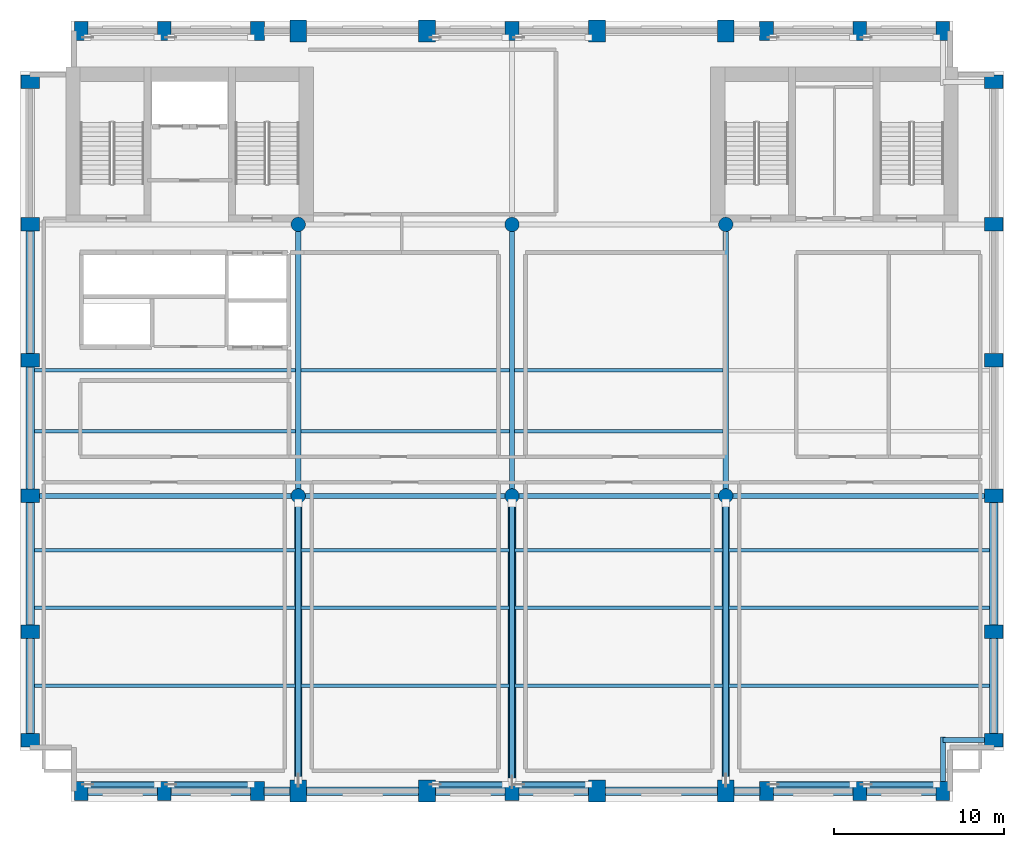
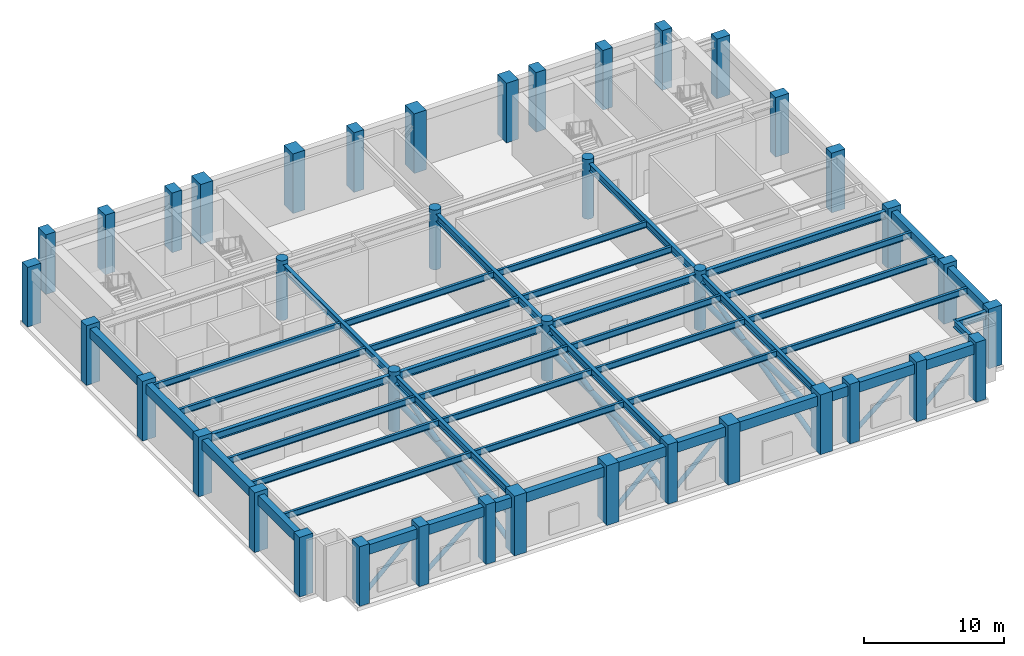
# One storey, part 1 of 11: 46 beams, 40 columns, 12 members.
"""IFC4 building model written with IfcOpenShell, lengths in metres."""

from ifc_helpers import new_model, si_unit, direction, frame, origin, origin_2d, place, context, subcontext, project, spatial, rectangle, circle, hollow_circle, i_section, extrude, material, material_profile, profile_set, type_object, element, save


model = new_model("IFC4")

# Units and contexts
model_context = context("Model", 3, precision=1e-05, world=origin(), true_north=direction((0.0, 1.0)))
body_context = subcontext(model_context, "Body", "Model", "MODEL_VIEW")
ifc_project = project(units=[si_unit("LENGTHUNIT", "METRE"), si_unit("AREAUNIT", "SQUARE_METRE"), si_unit("VOLUMEUNIT", "CUBIC_METRE"), si_unit("PLANEANGLEUNIT", "RADIAN"), si_unit("MASSUNIT", "GRAM", prefix="KILO")], contexts=[model_context])

# Site, building, storey
site_placement = place(None, origin())
site = spatial("IfcSite", under=ifc_project, at=site_placement, CompositionType="ELEMENT")
building_placement = place(site_placement, origin())
building = spatial("IfcBuilding", under=site, at=building_placement, Name="Sulina Concourse Tower", CompositionType="ELEMENT")
storey_placement = place(building_placement, frame((0.0, 0.0, 160.60009765625)))
storey = spatial("IfcBuildingStorey", under=building, at=storey_placement, Name="L39", CompositionType="ELEMENT", Elevation=160.60009765625)

# Columns
ifc_material_1 = material(Name="Precast concrete C60/75", Category="concrete")
ifc_material_profile_1 = material_profile(ifc_material_1, rectangle(XDim=0.800048828125, YDim=1.10009765625, at=origin_2d()), Name="PC 800x1100")
ifc_profile_set_1 = profile_set([ifc_material_profile_1], Name="Precast concrete C60/75")
column_type_1 = type_object("IfcColumnType", Name="Precast Tube Pier Zone 3 800x1100", PredefinedType="COLUMN", material=ifc_profile_set_1)
for number, where, z_axis, x_axis, name in (
    (1, (3.60009765625, 0.60009765625, 0.0), (0.0, 0.0, 1.0), (1.0, 0.0, 0.0), "L39 structural column TP-S-36"),
    (2, (3.60009765625, 45.39990234375, 0.0), (0.0, 0.0, 1.0), (1.0, 0.0, 0.0), "L39 structural column TP-N-36"),
    (3, (8.5, 0.60009765625, 0.0), (0.0, 0.0, 1.0), (1.0, 0.0, 0.0), "L39 structural column TP-S-85"),
    (4, (8.5, 45.39990234375, 0.0), (0.0, 0.0, 1.0), (1.0, 0.0, 0.0), "L39 structural column TP-N-85"),
    (5, (14.0, 0.60009765625, 0.0), (0.0, 0.0, 1.0), (1.0, 0.0, 0.0), "L39 structural column TP-S-140"),
    (6, (14.0, 45.39990234375, 0.0), (0.0, 0.0, 1.0), (1.0, 0.0, 0.0), "L39 structural column TP-N-140"),
    (7, (29.0, 0.60009765625, 0.0), (0.0, 0.0, 1.0), (1.0, 0.0, 0.0), "L39 structural column TP-S-290"),
    (8, (29.0, 45.39990234375, 0.0), (0.0, 0.0, 1.0), (1.0, 0.0, 0.0), "L39 structural column TP-N-290"),
    (9, (44.0, 0.60009765625, 0.0), (0.0, 0.0, 1.0), (1.0, 0.0, 0.0), "L39 structural column TP-S-440"),
    (10, (44.0, 45.39990234375, 0.0), (0.0, 0.0, 1.0), (1.0, 0.0, 0.0), "L39 structural column TP-N-440"),
    (11, (49.5, 0.60009765625, 0.0), (0.0, 0.0, 1.0), (1.0, 0.0, 0.0), "L39 structural column TP-S-495"),
    (12, (49.5, 45.39990234375, 0.0), (0.0, 0.0, 1.0), (1.0, 0.0, 0.0), "L39 structural column TP-N-495"),
    (13, (54.39990234375, 0.60009765625, 0.0), (0.0, 0.0, 1.0), (1.0, 0.0, 0.0), "L39 structural column TP-S-544"),
    (14, (54.39990234375, 45.39990234375, 0.0), (0.0, 0.0, 1.0), (1.0, 0.0, 0.0), "L39 structural column TP-N-544"),
    (15, (0.60009765625, 3.60009765625, 0.0), (0.0, 0.0, 1.0), (0.0, 1.0, 0.0), "L39 structural column TP-W-36"),
    (16, (57.39990234375, 3.60009765625, 0.0), (0.0, 0.0, 1.0), (0.0, 1.0, 0.0), "L39 structural column TP-E-36"),
    (17, (0.60009765625, 10.0, 0.0), (0.0, 0.0, 1.0), (0.0, 1.0, 0.0), "L39 structural column TP-W-100"),
    (18, (57.39990234375, 10.0, 0.0), (0.0, 0.0, 1.0), (0.0, 1.0, 0.0), "L39 structural column TP-E-100"),
    (19, (0.60009765625, 18.0, 0.0), (0.0, 0.0, 1.0), (0.0, 1.0, 0.0), "L39 structural column TP-W-180"),
    (20, (57.39990234375, 18.0, 0.0), (0.0, 0.0, 1.0), (0.0, 1.0, 0.0), "L39 structural column TP-E-180"),
    (21, (0.60009765625, 26.0, 0.0), (0.0, 0.0, 1.0), (0.0, 1.0, 0.0), "L39 structural column TP-W-260"),
    (22, (57.39990234375, 26.0, 0.0), (0.0, 0.0, 1.0), (0.0, 1.0, 0.0), "L39 structural column TP-E-260"),
    (23, (0.60009765625, 34.0, 0.0), (0.0, 0.0, 1.0), (0.0, 1.0, 0.0), "L39 structural column TP-W-340"),
    (24, (57.39990234375, 34.0, 0.0), (0.0, 0.0, 1.0), (0.0, 1.0, 0.0), "L39 structural column TP-E-340"),
    (25, (0.60009765625, 42.39990234375, 0.0), (0.0, 0.0, 1.0), (0.0, 1.0, 0.0), "L39 structural column TP-W-424"),
    (26, (57.39990234375, 42.39990234375, 0.0), (0.0, 0.0, 1.0), (0.0, 1.0, 0.0), "L39 structural column TP-E-424"),
):
    element("IfcColumn", number, at=place(storey_placement, frame(where, z_axis=z_axis, x_axis=x_axis)), inside=storey, type_object=column_type_1, Name=name, PredefinedType="COLUMN", context=body_context, shape_type="SweptSolid", body=[
        extrude(rectangle(XDim=0.800048828125, YDim=1.10009765625, at=origin_2d()), origin(), (0.0, 0.0, 1.0), 5.199951171875),
    ])
ifc_material_2 = material(Name="Concrete C50/60", Category="concrete")
ifc_material_profile_2 = material_profile(ifc_material_2, circle(Radius=0.425048828125, at=origin_2d()), Name="RC D850")
ifc_profile_set_2 = profile_set([ifc_material_profile_2], Name="Concrete C50/60")
column_type_2 = type_object("IfcColumnType", Name="Upper Interior Circular Column D850", PredefinedType="COLUMN", material=ifc_profile_set_2)
for number, where, z_axis, x_axis, name in (
    (27, (16.39990234375, 18.0, 0.0), (0.0, 0.0, 1.0), (1.0, 0.0, 0.0), "L39 structural column IC-M-164"),
    (28, (16.39990234375, 34.0, 0.0), (0.0, 0.0, 1.0), (1.0, 0.0, 0.0), "L39 structural column IC-N-164"),
    (29, (29.0, 18.0, 0.0), (0.0, 0.0, 1.0), (1.0, 0.0, 0.0), "L39 structural column IC-M-290"),
    (30, (29.0, 34.0, 0.0), (0.0, 0.0, 1.0), (1.0, 0.0, 0.0), "L39 structural column IC-N-290"),
    (31, (41.60009765625, 18.0, 0.0), (0.0, 0.0, 1.0), (1.0, 0.0, 0.0), "L39 structural column IC-M-416"),
    (32, (41.60009765625, 34.0, 0.0), (0.0, 0.0, 1.0), (1.0, 0.0, 0.0), "L39 structural column IC-N-416"),
):
    element("IfcColumn", number, at=place(storey_placement, frame(where, z_axis=z_axis, x_axis=x_axis)), inside=storey, type_object=column_type_2, Name=name, PredefinedType="COLUMN", context=body_context, shape_type="SweptSolid", body=[
        extrude(circle(Radius=0.425048828125, at=origin_2d()), origin(), (0.0, 0.0, 1.0), 5.199951171875),
    ])
ifc_material_3 = material(Name="Concrete C60/75", Category="concrete")
ifc_material_profile_3 = material_profile(ifc_material_3, rectangle(XDim=1.0, YDim=1.300048828125, at=origin_2d()), Name="RC 1000x1300")
ifc_profile_set_3 = profile_set([ifc_material_profile_3], Name="Concrete C60/75")
column_type_3 = type_object("IfcColumnType", Name="Upper Portal Column 1000x1300", PredefinedType="COLUMN", material=ifc_profile_set_3)
for number, where, z_axis, x_axis, name in (
    (33, (16.39990234375, 0.60009765625, 0.0), (0.0, 0.0, 1.0), (1.0, 0.0, 0.0), "L39 structural column TP-S-164"),
    (34, (16.39990234375, 45.39990234375, 0.0), (0.0, 0.0, 1.0), (1.0, 0.0, 0.0), "L39 structural column TP-N-164"),
    (35, (24.0, 0.60009765625, 0.0), (0.0, 0.0, 1.0), (1.0, 0.0, 0.0), "L39 structural column TP-S-240"),
    (36, (24.0, 45.39990234375, 0.0), (0.0, 0.0, 1.0), (1.0, 0.0, 0.0), "L39 structural column TP-N-240"),
    (37, (34.0, 0.60009765625, 0.0), (0.0, 0.0, 1.0), (1.0, 0.0, 0.0), "L39 structural column TP-S-340"),
    (38, (34.0, 45.39990234375, 0.0), (0.0, 0.0, 1.0), (1.0, 0.0, 0.0), "L39 structural column TP-N-340"),
    (39, (41.60009765625, 0.60009765625, 0.0), (0.0, 0.0, 1.0), (1.0, 0.0, 0.0), "L39 structural column TP-S-416"),
    (40, (41.60009765625, 45.39990234375, 0.0), (0.0, 0.0, 1.0), (1.0, 0.0, 0.0), "L39 structural column TP-N-416"),
):
    element("IfcColumn", number, at=place(storey_placement, frame(where, z_axis=z_axis, x_axis=x_axis)), inside=storey, type_object=column_type_3, Name=name, PredefinedType="COLUMN", context=body_context, shape_type="SweptSolid", body=[
        extrude(rectangle(XDim=1.0, YDim=1.300048828125, at=origin_2d()), origin(), (0.0, 0.0, 1.0), 5.199951171875),
    ])

# Members
ifc_material_4 = material(Name="Steel S355", Category="steel")
ifc_material_profile_4 = material_profile(ifc_material_4, hollow_circle(Radius=0.177734375, WallThickness=0.01416015625, at=origin_2d()), Name="CHS 355.6x14.2")
ifc_profile_set_4 = profile_set([ifc_material_profile_4], Name="Steel S355")
member_type_1 = type_object("IfcMemberType", Name="Belt Truss Diagonal Brace CHS355.6x14.2", PredefinedType="BRACE", material=ifc_profile_set_4)
member_1_placement = place(storey_placement, frame((3.989990234375, 0.97998046875, 0.14990234375), z_axis=(0.728874196238, 0.0, 0.684647651029), x_axis=(0.0, 1.0, 0.0)))
element("IfcMember", 41, at=member_1_placement, inside=storey, type_object=member_type_1, Name="BLT-S1-L39", PredefinedType="BRACE", context=body_context, shape_type="SweptSolid", body=[
    extrude(hollow_circle(Radius=0.177734375, WallThickness=0.01416015625, at=origin_2d()), origin(), (0.0, 0.0, 1.0), 5.65283203125),
])
member_2_placement = place(storey_placement, frame((8.889892578125, 0.97998046875, 0.14990234375), z_axis=(0.773304658113, 0.0, 0.634034625034), x_axis=(0.0, 1.0, 0.0)))
element("IfcMember", 42, at=member_2_placement, inside=storey, type_object=member_type_1, Name="BLT-S2-L39", PredefinedType="BRACE", context=body_context, shape_type="SweptSolid", body=[
    extrude(hollow_circle(Radius=0.177734375, WallThickness=0.01416015625, at=origin_2d()), origin(), (0.0, 0.0, 1.0), 6.10400390625),
])
for number, where, z_axis, x_axis, name in (
    (43, (24.489990234375, 0.97998046875, 0.14990234375), (0.728874196238, 0.0, 0.684647651029), (0.0, 1.0, 0.0), "BLT-S3-L39"),
    (44, (29.389892578125, 0.97998046875, 0.14990234375), (0.728874196238, 0.0, 0.684647651029), (0.0, 1.0, 0.0), "BLT-S4-L39"),
):
    element("IfcMember", number, at=place(storey_placement, frame(where, z_axis=z_axis, x_axis=x_axis)), inside=storey, type_object=member_type_1, Name=name, PredefinedType="BRACE", context=body_context, shape_type="SweptSolid", body=[
        extrude(hollow_circle(Radius=0.177734375, WallThickness=0.01416015625, at=origin_2d()), origin(), (0.0, 0.0, 1.0), 5.65283203125),
    ])
member_3_placement = place(storey_placement, frame((44.389892578125, 0.97998046875, 0.14990234375), z_axis=(0.773304658113, 0.0, 0.634034625034), x_axis=(0.0, 1.0, 0.0)))
element("IfcMember", 45, at=member_3_placement, inside=storey, type_object=member_type_1, Name="BLT-S5-L39", PredefinedType="BRACE", context=body_context, shape_type="SweptSolid", body=[
    extrude(hollow_circle(Radius=0.177734375, WallThickness=0.01416015625, at=origin_2d()), origin(), (0.0, 0.0, 1.0), 6.10400390625),
])
member_4_placement = place(storey_placement, frame((49.889892578125, 0.97998046875, 0.14990234375), z_axis=(0.728874196238, 0.0, 0.684647651029), x_axis=(0.0, 1.0, 0.0)))
element("IfcMember", 46, at=member_4_placement, inside=storey, type_object=member_type_1, Name="BLT-S6-L39", PredefinedType="BRACE", context=body_context, shape_type="SweptSolid", body=[
    extrude(hollow_circle(Radius=0.177734375, WallThickness=0.01416015625, at=origin_2d()), origin(), (0.0, 0.0, 1.0), 5.65283203125),
])

# Beams
ifc_material_5 = material(Name="Steel S355", Category="steel")
ifc_material_profile_5 = material_profile(ifc_material_5, i_section(OverallWidth=0.2099609375, OverallDepth=0.550048828125, WebThickness=0.010986328125, FlangeThickness=0.01708984375, at=origin_2d()), Name="IPE 550")
ifc_profile_set_5 = profile_set([ifc_material_profile_5], Name="Steel S355")
beam_type_1 = type_object("IfcBeamType", Name="Composite Floor Joist IPE550", PredefinedType="JOIST", material=ifc_profile_set_5)
beam_1_placement = place(storey_placement, frame((0.85009765625, 6.800048828125, 4.5849609375), z_axis=(1.0, 0.0, 0.0), x_axis=(0.0, 1.0, 0.0)))
element("IfcBeam", 47, at=beam_1_placement, inside=storey, type_object=beam_type_1, Name="FJ-J06-1-L39", PredefinedType="JOIST", context=body_context, shape_type="SweptSolid", body=[
    extrude(i_section(OverallWidth=0.2099609375, OverallDepth=0.550048828125, WebThickness=0.010986328125, FlangeThickness=0.01708984375, at=origin_2d()), origin(), (0.0, 0.0, 1.0), 15.39990234375),
])
for number, where, z_axis, x_axis, name in (
    (48, (16.550048828125, 6.800048828125, 4.5849609375), (1.0, 0.0, 0.0), (0.0, 1.0, 0.0), "FJ-J06-2-L39"),
    (49, (29.14990234375, 6.800048828125, 4.5849609375), (1.0, 0.0, 0.0), (0.0, 1.0, 0.0), "FJ-J06-3-L39"),
):
    element("IfcBeam", number, at=place(storey_placement, frame(where, z_axis=z_axis, x_axis=x_axis)), inside=storey, type_object=beam_type_1, Name=name, PredefinedType="JOIST", context=body_context, shape_type="SweptSolid", body=[
        extrude(i_section(OverallWidth=0.2099609375, OverallDepth=0.550048828125, WebThickness=0.010986328125, FlangeThickness=0.01708984375, at=origin_2d()), origin(), (0.0, 0.0, 1.0), 12.300048828125),
    ])
for number, where, z_axis, x_axis, name in (
    (50, (41.75, 6.800048828125, 4.5849609375), (1.0, 0.0, 0.0), (0.0, 1.0, 0.0), "FJ-J06-4-L39"),
    (51, (0.85009765625, 11.39990234375, 4.5849609375), (1.0, 0.0, 0.0), (0.0, 1.0, 0.0), "FJ-J11-1-L39"),
):
    element("IfcBeam", number, at=place(storey_placement, frame(where, z_axis=z_axis, x_axis=x_axis)), inside=storey, type_object=beam_type_1, Name=name, PredefinedType="JOIST", context=body_context, shape_type="SweptSolid", body=[
        extrude(i_section(OverallWidth=0.2099609375, OverallDepth=0.550048828125, WebThickness=0.010986328125, FlangeThickness=0.01708984375, at=origin_2d()), origin(), (0.0, 0.0, 1.0), 15.39990234375),
    ])
for number, where, z_axis, x_axis, name in (
    (52, (16.550048828125, 11.39990234375, 4.5849609375), (1.0, 0.0, 0.0), (0.0, 1.0, 0.0), "FJ-J11-2-L39"),
    (53, (29.14990234375, 11.39990234375, 4.5849609375), (1.0, 0.0, 0.0), (0.0, 1.0, 0.0), "FJ-J11-3-L39"),
):
    element("IfcBeam", number, at=place(storey_placement, frame(where, z_axis=z_axis, x_axis=x_axis)), inside=storey, type_object=beam_type_1, Name=name, PredefinedType="JOIST", context=body_context, shape_type="SweptSolid", body=[
        extrude(i_section(OverallWidth=0.2099609375, OverallDepth=0.550048828125, WebThickness=0.010986328125, FlangeThickness=0.01708984375, at=origin_2d()), origin(), (0.0, 0.0, 1.0), 12.300048828125),
    ])
for number, where, z_axis, x_axis, name in (
    (54, (41.75, 11.39990234375, 4.5849609375), (1.0, 0.0, 0.0), (0.0, 1.0, 0.0), "FJ-J11-4-L39"),
    (55, (0.85009765625, 14.800048828125, 4.5849609375), (1.0, 0.0, 0.0), (0.0, 1.0, 0.0), "FJ-J15-1-L39"),
):
    element("IfcBeam", number, at=place(storey_placement, frame(where, z_axis=z_axis, x_axis=x_axis)), inside=storey, type_object=beam_type_1, Name=name, PredefinedType="JOIST", context=body_context, shape_type="SweptSolid", body=[
        extrude(i_section(OverallWidth=0.2099609375, OverallDepth=0.550048828125, WebThickness=0.010986328125, FlangeThickness=0.01708984375, at=origin_2d()), origin(), (0.0, 0.0, 1.0), 15.39990234375),
    ])
for number, where, z_axis, x_axis, name in (
    (56, (16.550048828125, 14.800048828125, 4.5849609375), (1.0, 0.0, 0.0), (0.0, 1.0, 0.0), "FJ-J15-2-L39"),
    (57, (29.14990234375, 14.800048828125, 4.5849609375), (1.0, 0.0, 0.0), (0.0, 1.0, 0.0), "FJ-J15-3-L39"),
):
    element("IfcBeam", number, at=place(storey_placement, frame(where, z_axis=z_axis, x_axis=x_axis)), inside=storey, type_object=beam_type_1, Name=name, PredefinedType="JOIST", context=body_context, shape_type="SweptSolid", body=[
        extrude(i_section(OverallWidth=0.2099609375, OverallDepth=0.550048828125, WebThickness=0.010986328125, FlangeThickness=0.01708984375, at=origin_2d()), origin(), (0.0, 0.0, 1.0), 12.300048828125),
    ])
for number, where, z_axis, x_axis, name in (
    (58, (41.75, 14.800048828125, 4.5849609375), (1.0, 0.0, 0.0), (0.0, 1.0, 0.0), "FJ-J15-4-L39"),
    (59, (0.85009765625, 21.800048828125, 4.5849609375), (1.0, 0.0, 0.0), (0.0, 1.0, 0.0), "FJ-J22-1-L39"),
):
    element("IfcBeam", number, at=place(storey_placement, frame(where, z_axis=z_axis, x_axis=x_axis)), inside=storey, type_object=beam_type_1, Name=name, PredefinedType="JOIST", context=body_context, shape_type="SweptSolid", body=[
        extrude(i_section(OverallWidth=0.2099609375, OverallDepth=0.550048828125, WebThickness=0.010986328125, FlangeThickness=0.01708984375, at=origin_2d()), origin(), (0.0, 0.0, 1.0), 15.39990234375),
    ])
for number, where, z_axis, x_axis, name in (
    (60, (16.550048828125, 21.800048828125, 4.5849609375), (1.0, 0.0, 0.0), (0.0, 1.0, 0.0), "FJ-J22-2-L39"),
    (61, (29.14990234375, 21.800048828125, 4.5849609375), (1.0, 0.0, 0.0), (0.0, 1.0, 0.0), "FJ-J22-3-L39"),
):
    element("IfcBeam", number, at=place(storey_placement, frame(where, z_axis=z_axis, x_axis=x_axis)), inside=storey, type_object=beam_type_1, Name=name, PredefinedType="JOIST", context=body_context, shape_type="SweptSolid", body=[
        extrude(i_section(OverallWidth=0.2099609375, OverallDepth=0.550048828125, WebThickness=0.010986328125, FlangeThickness=0.01708984375, at=origin_2d()), origin(), (0.0, 0.0, 1.0), 12.300048828125),
    ])
beam_2_placement = place(storey_placement, frame((0.85009765625, 25.39990234375, 4.5849609375), z_axis=(1.0, 0.0, 0.0), x_axis=(0.0, 1.0, 0.0)))
element("IfcBeam", 62, at=beam_2_placement, inside=storey, type_object=beam_type_1, Name="FJ-J25-1-L39", PredefinedType="JOIST", context=body_context, shape_type="SweptSolid", body=[
    extrude(i_section(OverallWidth=0.2099609375, OverallDepth=0.550048828125, WebThickness=0.010986328125, FlangeThickness=0.01708984375, at=origin_2d()), origin(), (0.0, 0.0, 1.0), 15.39990234375),
])
for number, where, z_axis, x_axis, name in (
    (63, (16.550048828125, 25.39990234375, 4.5849609375), (1.0, 0.0, 0.0), (0.0, 1.0, 0.0), "FJ-J25-2-L39"),
    (64, (29.14990234375, 25.39990234375, 4.5849609375), (1.0, 0.0, 0.0), (0.0, 1.0, 0.0), "FJ-J25-3-L39"),
):
    element("IfcBeam", number, at=place(storey_placement, frame(where, z_axis=z_axis, x_axis=x_axis)), inside=storey, type_object=beam_type_1, Name=name, PredefinedType="JOIST", context=body_context, shape_type="SweptSolid", body=[
        extrude(i_section(OverallWidth=0.2099609375, OverallDepth=0.550048828125, WebThickness=0.010986328125, FlangeThickness=0.01708984375, at=origin_2d()), origin(), (0.0, 0.0, 1.0), 12.300048828125),
    ])
ifc_material_6 = material(Name="Steel S355", Category="steel")
ifc_material_profile_6 = material_profile(ifc_material_6, i_section(OverallWidth=0.300048828125, OverallDepth=0.64990234375, WebThickness=0.01611328125, FlangeThickness=0.031005859375, at=origin_2d()), Name="HE 650 B")
ifc_profile_set_6 = profile_set([ifc_material_profile_6], Name="Steel S355")
beam_type_2 = type_object("IfcBeamType", Name="Floor Primary Girder Zone 2 HE650B", PredefinedType="BEAM", material=ifc_profile_set_6)
beam_3_placement = place(storey_placement, frame((54.39990234375, 3.60009765625, 4.534912109375), z_axis=(1.0, 0.0, 0.0), x_axis=(0.0, 1.0, 0.0)))
element("IfcBeam", 65, at=beam_3_placement, inside=storey, type_object=beam_type_2, Name="TIE-SE-L39", PredefinedType="BEAM", context=body_context, shape_type="SweptSolid", body=[
    extrude(i_section(OverallWidth=0.300048828125, OverallDepth=0.64990234375, WebThickness=0.01611328125, FlangeThickness=0.031005859375, at=origin_2d()), origin(), (0.0, 0.0, 1.0), 2.6201171875),
])
beam_4_placement = place(storey_placement, frame((54.39990234375, 0.97998046875, 4.534912109375), z_axis=(0.0, 1.0, 0.0), x_axis=(-1.0, 0.0, 0.0)))
element("IfcBeam", 66, at=beam_4_placement, inside=storey, type_object=beam_type_2, Name="TIE-SES-L39", PredefinedType="BEAM", context=body_context, shape_type="SweptSolid", body=[
    extrude(i_section(OverallWidth=0.300048828125, OverallDepth=0.64990234375, WebThickness=0.01611328125, FlangeThickness=0.031005859375, at=origin_2d()), origin(), (0.0, 0.0, 1.0), 2.820068359375),
])
beam_5_placement = place(storey_placement, frame((0.97998046875, 18.0, 4.534912109375), z_axis=(1.0, 0.0, 0.0), x_axis=(0.0, 1.0, 0.0)))
element("IfcBeam", 67, at=beam_5_placement, inside=storey, type_object=beam_type_2, Name="FG-EW1-L39", PredefinedType="BEAM", context=body_context, shape_type="SweptSolid", body=[
    extrude(i_section(OverallWidth=0.300048828125, OverallDepth=0.64990234375, WebThickness=0.01611328125, FlangeThickness=0.031005859375, at=origin_2d()), origin(), (0.0, 0.0, 1.0), 15.01513671875),
])
for number, where, z_axis, x_axis, name in (
    (68, (16.804931640625, 18.0, 4.534912109375), (1.0, 0.0, 0.0), (0.0, 1.0, 0.0), "FG-EW2-L39"),
    (69, (29.405029296875, 18.0, 4.534912109375), (1.0, 0.0, 0.0), (0.0, 1.0, 0.0), "FG-EW3-L39"),
):
    element("IfcBeam", number, at=place(storey_placement, frame(where, z_axis=z_axis, x_axis=x_axis)), inside=storey, type_object=beam_type_2, Name=name, PredefinedType="BEAM", context=body_context, shape_type="SweptSolid", body=[
        extrude(i_section(OverallWidth=0.300048828125, OverallDepth=0.64990234375, WebThickness=0.01611328125, FlangeThickness=0.031005859375, at=origin_2d()), origin(), (0.0, 0.0, 1.0), 11.7900390625),
    ])
beam_6_placement = place(storey_placement, frame((42.0048828125, 18.0, 4.534912109375), z_axis=(1.0, 0.0, 0.0), x_axis=(0.0, 1.0, 0.0)))
element("IfcBeam", 70, at=beam_6_placement, inside=storey, type_object=beam_type_2, Name="FG-EW4-L39", PredefinedType="BEAM", context=body_context, shape_type="SweptSolid", body=[
    extrude(i_section(OverallWidth=0.300048828125, OverallDepth=0.64990234375, WebThickness=0.01611328125, FlangeThickness=0.031005859375, at=origin_2d()), origin(), (0.0, 0.0, 1.0), 15.01513671875),
])
beam_7_placement = place(storey_placement, frame((16.39990234375, 1.080078125, 4.534912109375), z_axis=(0.0, 1.0, 0.0), x_axis=(-1.0, 0.0, 0.0)))
element("IfcBeam", 71, at=beam_7_placement, inside=storey, type_object=beam_type_2, Name="FG-NSA-16-L39", PredefinedType="BEAM", context=body_context, shape_type="SweptSolid", body=[
    extrude(i_section(OverallWidth=0.300048828125, OverallDepth=0.64990234375, WebThickness=0.01611328125, FlangeThickness=0.031005859375, at=origin_2d()), origin(), (0.0, 0.0, 1.0), 16.514892578125),
])
beam_8_placement = place(storey_placement, frame((16.39990234375, 18.405029296875, 4.534912109375), z_axis=(0.0, 1.0, 0.0), x_axis=(-1.0, 0.0, 0.0)))
element("IfcBeam", 72, at=beam_8_placement, inside=storey, type_object=beam_type_2, Name="FG-NSB-16-L39", PredefinedType="BEAM", context=body_context, shape_type="SweptSolid", body=[
    extrude(i_section(OverallWidth=0.300048828125, OverallDepth=0.64990234375, WebThickness=0.01611328125, FlangeThickness=0.031005859375, at=origin_2d()), origin(), (0.0, 0.0, 1.0), 15.18994140625),
])
beam_9_placement = place(storey_placement, frame((29.0, 0.97998046875, 4.534912109375), z_axis=(0.0, 1.0, 0.0), x_axis=(-1.0, 0.0, 0.0)))
element("IfcBeam", 73, at=beam_9_placement, inside=storey, type_object=beam_type_2, Name="FG-NSA-29-L39", PredefinedType="BEAM", context=body_context, shape_type="SweptSolid", body=[
    extrude(i_section(OverallWidth=0.300048828125, OverallDepth=0.64990234375, WebThickness=0.01611328125, FlangeThickness=0.031005859375, at=origin_2d()), origin(), (0.0, 0.0, 1.0), 16.614990234375),
])
beam_10_placement = place(storey_placement, frame((29.0, 18.405029296875, 4.534912109375), z_axis=(0.0, 1.0, 0.0), x_axis=(-1.0, 0.0, 0.0)))
element("IfcBeam", 74, at=beam_10_placement, inside=storey, type_object=beam_type_2, Name="FG-NSB-29-L39", PredefinedType="BEAM", context=body_context, shape_type="SweptSolid", body=[
    extrude(i_section(OverallWidth=0.300048828125, OverallDepth=0.64990234375, WebThickness=0.01611328125, FlangeThickness=0.031005859375, at=origin_2d()), origin(), (0.0, 0.0, 1.0), 15.18994140625),
])
beam_11_placement = place(storey_placement, frame((41.60009765625, 1.080078125, 4.534912109375), z_axis=(0.0, 1.0, 0.0), x_axis=(-1.0, 0.0, 0.0)))
element("IfcBeam", 75, at=beam_11_placement, inside=storey, type_object=beam_type_2, Name="FG-NSA-41-L39", PredefinedType="BEAM", context=body_context, shape_type="SweptSolid", body=[
    extrude(i_section(OverallWidth=0.300048828125, OverallDepth=0.64990234375, WebThickness=0.01611328125, FlangeThickness=0.031005859375, at=origin_2d()), origin(), (0.0, 0.0, 1.0), 16.514892578125),
])
beam_12_placement = place(storey_placement, frame((41.60009765625, 18.405029296875, 4.534912109375), z_axis=(0.0, 1.0, 0.0), x_axis=(-1.0, 0.0, 0.0)))
element("IfcBeam", 76, at=beam_12_placement, inside=storey, type_object=beam_type_2, Name="FG-NSB-41-L39", PredefinedType="BEAM", context=body_context, shape_type="SweptSolid", body=[
    extrude(i_section(OverallWidth=0.300048828125, OverallDepth=0.64990234375, WebThickness=0.01611328125, FlangeThickness=0.031005859375, at=origin_2d()), origin(), (0.0, 0.0, 1.0), 15.18994140625),
])
ifc_material_7 = material(Name="Precast concrete C50/60", Category="concrete")
ifc_material_profile_7 = material_profile(ifc_material_7, rectangle(XDim=0.5, YDim=0.85009765625, at=origin_2d()), Name="RC 500x850")
ifc_profile_set_7 = profile_set([ifc_material_profile_7], Name="Precast concrete C50/60")
beam_type_3 = type_object("IfcBeamType", Name="Lower Precast Spandrel Edge Beam 500x850", PredefinedType="BEAM", material=ifc_profile_set_7)
beam_13_placement = place(storey_placement, frame((3.97998046875, 0.60009765625, 4.434814453125), z_axis=(1.0, 0.0, 0.0), x_axis=(0.0, 1.0, 0.0)))
element("IfcBeam", 77, at=beam_13_placement, inside=storey, type_object=beam_type_3, Name="SP-S1-L39", PredefinedType="BEAM", context=body_context, shape_type="SweptSolid", body=[
    extrude(rectangle(XDim=0.5, YDim=0.85009765625, at=origin_2d()), origin(), (0.0, 0.0, 1.0), 4.14013671875),
])
beam_14_placement = place(storey_placement, frame((8.8798828125, 0.60009765625, 4.434814453125), z_axis=(1.0, 0.0, 0.0), x_axis=(0.0, 1.0, 0.0)))
element("IfcBeam", 78, at=beam_14_placement, inside=storey, type_object=beam_type_3, Name="SP-S2-L39", PredefinedType="BEAM", context=body_context, shape_type="SweptSolid", body=[
    extrude(rectangle(XDim=0.5, YDim=0.85009765625, at=origin_2d()), origin(), (0.0, 0.0, 1.0), 4.740234375),
])
beam_15_placement = place(storey_placement, frame((14.3798828125, 0.60009765625, 4.434814453125), z_axis=(1.0, 0.0, 0.0), x_axis=(0.0, 1.0, 0.0)))
element("IfcBeam", 79, at=beam_15_placement, inside=storey, type_object=beam_type_3, Name="SP-S3-L39", PredefinedType="BEAM", context=body_context, shape_type="SweptSolid", body=[
    extrude(rectangle(XDim=0.5, YDim=0.85009765625, at=origin_2d()), origin(), (0.0, 0.0, 1.0), 1.5400390625),
])
beam_16_placement = place(storey_placement, frame((16.8798828125, 0.60009765625, 4.434814453125), z_axis=(1.0, 0.0, 0.0), x_axis=(0.0, 1.0, 0.0)))
element("IfcBeam", 80, at=beam_16_placement, inside=storey, type_object=beam_type_3, Name="SP-S4-L39", PredefinedType="BEAM", context=body_context, shape_type="SweptSolid", body=[
    extrude(rectangle(XDim=0.5, YDim=0.85009765625, at=origin_2d()), origin(), (0.0, 0.0, 1.0), 6.64013671875),
])
for number, where, z_axis, x_axis, name in (
    (81, (24.47998046875, 0.60009765625, 4.434814453125), (1.0, 0.0, 0.0), (0.0, 1.0, 0.0), "SP-S5-L39"),
    (82, (29.3798828125, 0.60009765625, 4.434814453125), (1.0, 0.0, 0.0), (0.0, 1.0, 0.0), "SP-S6-L39"),
):
    element("IfcBeam", number, at=place(storey_placement, frame(where, z_axis=z_axis, x_axis=x_axis)), inside=storey, type_object=beam_type_3, Name=name, PredefinedType="BEAM", context=body_context, shape_type="SweptSolid", body=[
        extrude(rectangle(XDim=0.5, YDim=0.85009765625, at=origin_2d()), origin(), (0.0, 0.0, 1.0), 4.14013671875),
    ])
beam_17_placement = place(storey_placement, frame((34.47998046875, 0.60009765625, 4.434814453125), z_axis=(1.0, 0.0, 0.0), x_axis=(0.0, 1.0, 0.0)))
element("IfcBeam", 83, at=beam_17_placement, inside=storey, type_object=beam_type_3, Name="SP-S7-L39", PredefinedType="BEAM", context=body_context, shape_type="SweptSolid", body=[
    extrude(rectangle(XDim=0.5, YDim=0.85009765625, at=origin_2d()), origin(), (0.0, 0.0, 1.0), 6.64013671875),
])
beam_18_placement = place(storey_placement, frame((42.080078125, 0.60009765625, 4.434814453125), z_axis=(1.0, 0.0, 0.0), x_axis=(0.0, 1.0, 0.0)))
element("IfcBeam", 84, at=beam_18_placement, inside=storey, type_object=beam_type_3, Name="SP-S8-L39", PredefinedType="BEAM", context=body_context, shape_type="SweptSolid", body=[
    extrude(rectangle(XDim=0.5, YDim=0.85009765625, at=origin_2d()), origin(), (0.0, 0.0, 1.0), 1.5400390625),
])
beam_19_placement = place(storey_placement, frame((44.3798828125, 0.60009765625, 4.434814453125), z_axis=(1.0, 0.0, 0.0), x_axis=(0.0, 1.0, 0.0)))
element("IfcBeam", 85, at=beam_19_placement, inside=storey, type_object=beam_type_3, Name="SP-S9-L39", PredefinedType="BEAM", context=body_context, shape_type="SweptSolid", body=[
    extrude(rectangle(XDim=0.5, YDim=0.85009765625, at=origin_2d()), origin(), (0.0, 0.0, 1.0), 4.740234375),
])
beam_20_placement = place(storey_placement, frame((49.8798828125, 0.60009765625, 4.434814453125), z_axis=(1.0, 0.0, 0.0), x_axis=(0.0, 1.0, 0.0)))
element("IfcBeam", 86, at=beam_20_placement, inside=storey, type_object=beam_type_3, Name="SP-S10-L39", PredefinedType="BEAM", context=body_context, shape_type="SweptSolid", body=[
    extrude(rectangle(XDim=0.5, YDim=0.85009765625, at=origin_2d()), origin(), (0.0, 0.0, 1.0), 4.14013671875),
])
beam_21_placement = place(storey_placement, frame((0.60009765625, 3.97998046875, 4.434814453125), z_axis=(0.0, 1.0, 0.0), x_axis=(-1.0, 0.0, 0.0)))
element("IfcBeam", 87, at=beam_21_placement, inside=storey, type_object=beam_type_3, Name="SP-W1-L39", PredefinedType="BEAM", context=body_context, shape_type="SweptSolid", body=[
    extrude(rectangle(XDim=0.5, YDim=0.85009765625, at=origin_2d()), origin(), (0.0, 0.0, 1.0), 5.64013671875),
])
for number, where, z_axis, x_axis, name in (
    (88, (0.60009765625, 10.3798828125, 4.434814453125), (0.0, 1.0, 0.0), (-1.0, 0.0, 0.0), "SP-W2-L39"),
    (89, (0.60009765625, 18.3798828125, 4.434814453125), (0.0, 1.0, 0.0), (-1.0, 0.0, 0.0), "SP-W3-L39"),
    (90, (0.60009765625, 26.3798828125, 4.434814453125), (0.0, 1.0, 0.0), (-1.0, 0.0, 0.0), "SP-W4-L39"),
):
    element("IfcBeam", number, at=place(storey_placement, frame(where, z_axis=z_axis, x_axis=x_axis)), inside=storey, type_object=beam_type_3, Name=name, PredefinedType="BEAM", context=body_context, shape_type="SweptSolid", body=[
        extrude(rectangle(XDim=0.5, YDim=0.85009765625, at=origin_2d()), origin(), (0.0, 0.0, 1.0), 7.240234375),
    ])
beam_22_placement = place(storey_placement, frame((57.39990234375, 3.97998046875, 4.434814453125), z_axis=(0.0, 1.0, 0.0), x_axis=(-1.0, 0.0, 0.0)))
element("IfcBeam", 91, at=beam_22_placement, inside=storey, type_object=beam_type_3, Name="SP-E1-L39", PredefinedType="BEAM", context=body_context, shape_type="SweptSolid", body=[
    extrude(rectangle(XDim=0.5, YDim=0.85009765625, at=origin_2d()), origin(), (0.0, 0.0, 1.0), 5.64013671875),
])
beam_23_placement = place(storey_placement, frame((57.39990234375, 10.3798828125, 4.434814453125), z_axis=(0.0, 1.0, 0.0), x_axis=(-1.0, 0.0, 0.0)))
element("IfcBeam", 92, at=beam_23_placement, inside=storey, type_object=beam_type_3, Name="SP-E2-L39", PredefinedType="BEAM", context=body_context, shape_type="SweptSolid", body=[
    extrude(rectangle(XDim=0.5, YDim=0.85009765625, at=origin_2d()), origin(), (0.0, 0.0, 1.0), 7.240234375),
])

# Members
ifc_material_8 = material(Name="Steel S355", Category="steel")
ifc_material_profile_8 = material_profile(ifc_material_8, hollow_circle(Radius=0.228515625, WallThickness=0.01611328125, at=origin_2d()), Name="CHS 457x16")
ifc_profile_set_8 = profile_set([ifc_material_profile_8], Name="Steel S355")
member_type_2 = type_object("IfcMemberType", Name="Mid & Upper Outrigger Strut CHS457x16", PredefinedType="STRUT", material=ifc_profile_set_8)
member_5_placement = place(storey_placement, frame((16.39990234375, 1.239990234375, 2.64990234375), z_axis=(0.0, 1.0, 0.0), x_axis=(-1.0, 0.0, 0.0)))
element("IfcMember", 93, at=member_5_placement, inside=storey, type_object=member_type_2, Name="OUT-ST-W1-L39", PredefinedType="STRUT", context=body_context, shape_type="SweptSolid", body=[
    extrude(hollow_circle(Radius=0.228515625, WallThickness=0.01611328125, at=origin_2d()), origin(), (0.0, 0.0, 1.0), 16.344970703125),
])
member_6_placement = place(storey_placement, frame((29.0, 1.139892578125, 2.64990234375), z_axis=(0.0, 1.0, 0.0), x_axis=(-1.0, 0.0, 0.0)))
element("IfcMember", 94, at=member_6_placement, inside=storey, type_object=member_type_2, Name="OUT-ST-M1-L39", PredefinedType="STRUT", context=body_context, shape_type="SweptSolid", body=[
    extrude(hollow_circle(Radius=0.228515625, WallThickness=0.01611328125, at=origin_2d()), origin(), (0.0, 0.0, 1.0), 16.445068359375),
])
member_7_placement = place(storey_placement, frame((41.60009765625, 1.239990234375, 2.64990234375), z_axis=(0.0, 1.0, 0.0), x_axis=(-1.0, 0.0, 0.0)))
element("IfcMember", 95, at=member_7_placement, inside=storey, type_object=member_type_2, Name="OUT-ST-E1-L39", PredefinedType="STRUT", context=body_context, shape_type="SweptSolid", body=[
    extrude(hollow_circle(Radius=0.228515625, WallThickness=0.01611328125, at=origin_2d()), origin(), (0.0, 0.0, 1.0), 16.344970703125),
])
ifc_material_9 = material(Name="Steel S355", Category="steel")
ifc_material_profile_9 = material_profile(ifc_material_9, hollow_circle(Radius=0.203125, WallThickness=0.01611328125, at=origin_2d()), Name="CHS 406.4x16")
ifc_profile_set_9 = profile_set([ifc_material_profile_9], Name="Steel S355")
member_type_3 = type_object("IfcMemberType", Name="Outrigger Diagonal Brace CHS406.4x16", PredefinedType="BRACE", material=ifc_profile_set_9)
member_8_placement = place(storey_placement, frame((16.39990234375, 1.239990234375, 0.14990234375), z_axis=(0.0, 0.97133642896, 0.237708943406), x_axis=(-1.0, 0.0, 0.0)))
element("IfcMember", 96, at=member_8_placement, inside=storey, type_object=member_type_3, Name="OUT-DG-W1-L39", PredefinedType="BRACE", context=body_context, shape_type="SweptSolid", body=[
    extrude(hollow_circle(Radius=0.203125, WallThickness=0.01611328125, at=origin_2d()), origin(), (0.0, 0.0, 1.0), 16.827392578125),
])
member_9_placement = place(storey_placement, frame((29.0, 1.139892578125, 0.14990234375), z_axis=(0.0, 0.971669662452, 0.236343113016), x_axis=(-1.0, 0.0, 0.0)))
element("IfcMember", 97, at=member_9_placement, inside=storey, type_object=member_type_3, Name="OUT-DG-M1-L39", PredefinedType="BRACE", context=body_context, shape_type="SweptSolid", body=[
    extrude(hollow_circle(Radius=0.203125, WallThickness=0.01611328125, at=origin_2d()), origin(), (0.0, 0.0, 1.0), 16.924560546875),
])
member_10_placement = place(storey_placement, frame((41.60009765625, 1.239990234375, 0.14990234375), z_axis=(0.0, 0.97133642896, 0.237708943406), x_axis=(-1.0, 0.0, 0.0)))
element("IfcMember", 98, at=member_10_placement, inside=storey, type_object=member_type_3, Name="OUT-DG-E1-L39", PredefinedType="BRACE", context=body_context, shape_type="SweptSolid", body=[
    extrude(hollow_circle(Radius=0.203125, WallThickness=0.01611328125, at=origin_2d()), origin(), (0.0, 0.0, 1.0), 16.827392578125),
])

save(model, "model.ifc")
